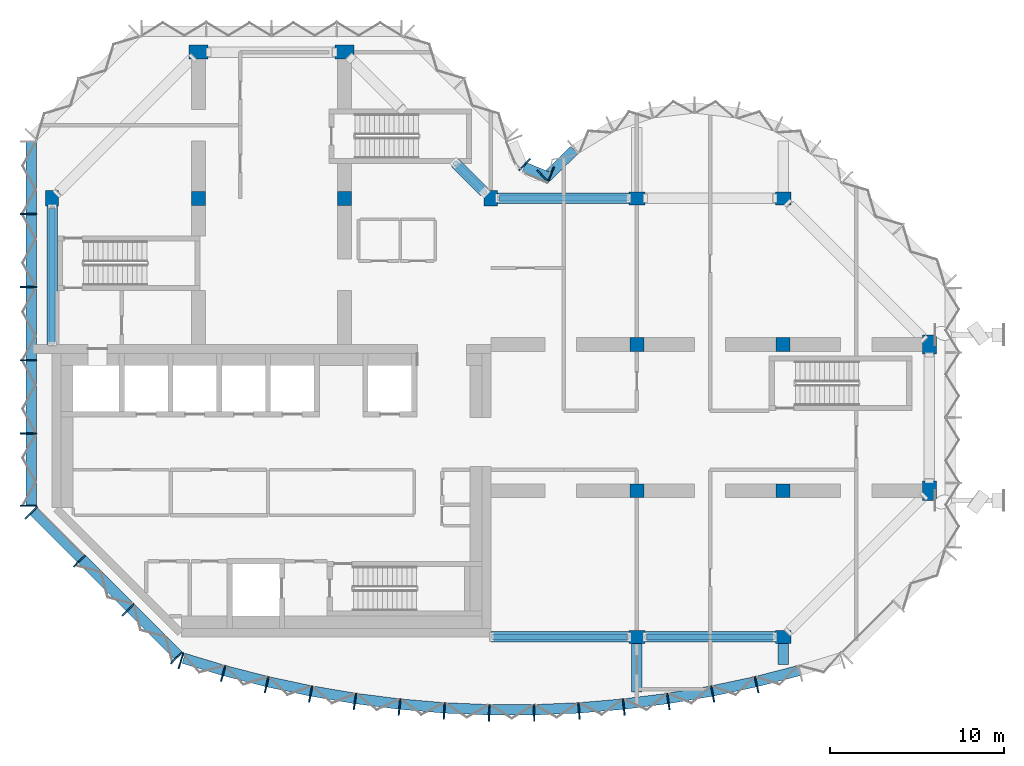
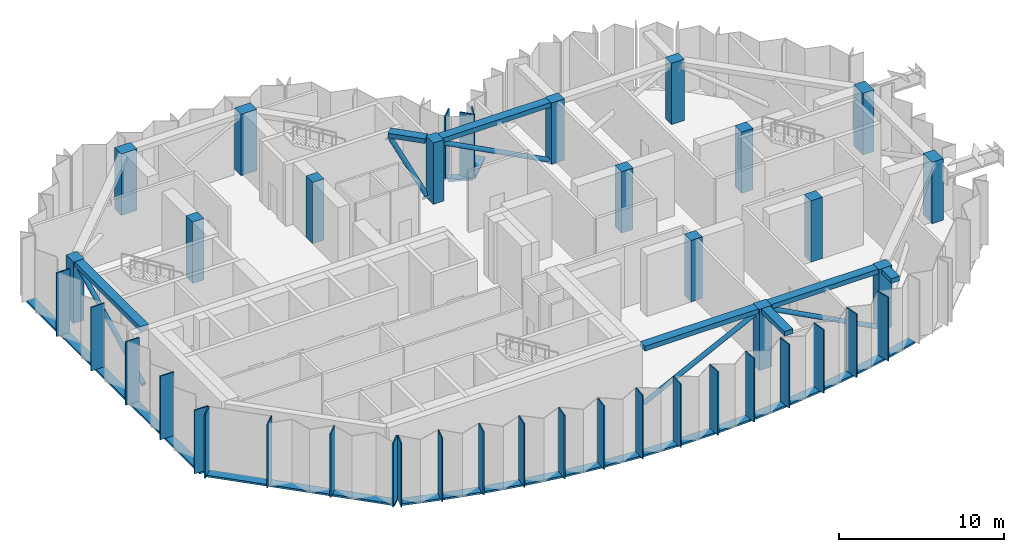
# One storey, part 1 of 13: 49 members, 16 columns, 7 beams, 5 elements without a shape of their own.
"""IFC4 building model written with IfcOpenShell, lengths in metres."""

from ifc_helpers import new_model, si_unit, direction, frame, origin, origin_2d, place, context, subcontext, project, spatial, rectangle, hollow_circle, extrude, material, material_profile, profile_set, type_object, element, aggregate, save


model = new_model("IFC4")

# Units and contexts
model_context = context("Model", 3, precision=1e-05, world=origin(), true_north=direction((0.0, 1.0)))
body_context = subcontext(model_context, "Body", "Model", "MODEL_VIEW")
ifc_project = project(units=[si_unit("LENGTHUNIT", "METRE"), si_unit("AREAUNIT", "SQUARE_METRE"), si_unit("VOLUMEUNIT", "CUBIC_METRE"), si_unit("PLANEANGLEUNIT", "RADIAN"), si_unit("MASSUNIT", "GRAM", prefix="KILO")], contexts=[model_context])

# Site, building, storey
site_placement = place(None, origin())
site = spatial("IfcSite", under=ifc_project, at=site_placement, CompositionType="ELEMENT")
building_placement = place(site_placement, origin())
building = spatial("IfcBuilding", under=site, at=building_placement, Name="Brevane Broadcast Tower", CompositionType="ELEMENT")
storey_placement = place(building_placement, frame((0.0, 0.0, 210.89990234375)))
storey = spatial("IfcBuildingStorey", under=building, at=storey_placement, Name="L53", CompositionType="ELEMENT", Elevation=210.89990234375)

# Columns
ifc_material_1 = material(Name="Concrete C50/60", Category="concrete")
ifc_material_profile_1 = material_profile(ifc_material_1, rectangle(XDim=0.75, YDim=0.89990234375, at=origin_2d()), Name="RC 750x900")
ifc_profile_set_1 = profile_set([ifc_material_profile_1], Name="Concrete C50/60")
column_type_1 = type_object("IfcColumnType", Name="RC COLUMN EDGE 750x900 C50/60", PredefinedType="COLUMN", material=ifc_profile_set_1)
for number, where, z_axis, x_axis, name in (
    (1, (0.0, 25.199951171875, 0.0), (0.0, 0.0, 1.0), (1.0, 0.0, 0.0), "CE14 1/D"),
    (2, (25.199951171875, 25.199951171875, 0.0), (0.0, 0.0, 1.0), (1.0, 0.0, 0.0), "CE14 4/D"),
    (3, (33.60009765625, 0.0, 0.0), (0.0, 0.0, 1.0), (0.0, 1.0, 0.0), "CE14 5/A"),
    (4, (33.60009765625, 25.199951171875, 0.0), (0.0, 0.0, 1.0), (0.0, 1.0, 0.0), "CE14 5/D"),
    (5, (42.0, 0.0, 0.0), (0.0, 0.0, 1.0), (0.0, 1.0, 0.0), "CE14 6/A"),
    (6, (42.0, 25.199951171875, 0.0), (0.0, 0.0, 1.0), (0.0, 1.0, 0.0), "CE14 6/D"),
):
    element("IfcColumn", number, at=place(storey_placement, frame(where, z_axis=z_axis, x_axis=x_axis)), inside=storey, type_object=column_type_1, Name=name, PredefinedType="COLUMN", context=body_context, shape_type="SweptSolid", body=[
        extrude(rectangle(XDim=0.75, YDim=0.89990234375, at=origin_2d()), origin(), (0.0, 0.0, 1.0), 4.550048828125),
    ])
ifc_material_profile_2 = material_profile(ifc_material_1, rectangle(XDim=0.800048828125, YDim=0.800048828125, at=origin_2d()), Name="RC 800x800")
ifc_profile_set_2 = profile_set([ifc_material_profile_2], Name="Concrete C50/60")
column_type_2 = type_object("IfcColumnType", Name="RC COLUMN INTERIOR 800x800 C50/60", PredefinedType="COLUMN", material=ifc_profile_set_2)
for number, where, z_axis, x_axis, name in (
    (7, (8.39990234375, 25.199951171875, 0.0), (0.0, 0.0, 1.0), (1.0, 0.0, 0.0), "CI15 2/D"),
    (8, (16.800048828125, 25.199951171875, 0.0), (0.0, 0.0, 1.0), (1.0, 0.0, 0.0), "CI15 3/D"),
    (9, (33.60009765625, 8.39990234375, 0.0), (0.0, 0.0, 1.0), (1.0, 0.0, 0.0), "CI15 5/B"),
    (10, (33.60009765625, 16.800048828125, 0.0), (0.0, 0.0, 1.0), (1.0, 0.0, 0.0), "CI15 5/C"),
    (11, (42.0, 8.39990234375, 0.0), (0.0, 0.0, 1.0), (1.0, 0.0, 0.0), "CI15 6/B"),
    (12, (42.0, 16.800048828125, 0.0), (0.0, 0.0, 1.0), (1.0, 0.0, 0.0), "CI15 6/C"),
):
    element("IfcColumn", number, at=place(storey_placement, frame(where, z_axis=z_axis, x_axis=x_axis)), inside=storey, type_object=column_type_2, Name=name, PredefinedType="COLUMN", context=body_context, shape_type="SweptSolid", body=[
        extrude(rectangle(XDim=0.800048828125, YDim=0.800048828125, at=origin_2d()), origin(), (0.0, 0.0, 1.0), 4.550048828125),
    ])
ifc_material_profile_3 = material_profile(ifc_material_1, rectangle(XDim=0.800048828125, YDim=1.10009765625, at=origin_2d()), Name="RC 800x1100")
ifc_profile_set_3 = profile_set([ifc_material_profile_3], Name="Concrete C50/60")
column_type_3 = type_object("IfcColumnType", Name="RC COLUMN WING-END 800x1100 C50/60", PredefinedType="COLUMN", material=ifc_profile_set_3)
for number, where, z_axis, x_axis, name in (
    (13, (8.39990234375, 33.60009765625, 0.0), (0.0, 0.0, 1.0), (0.0, 1.0, 0.0), "CW16 2/E"),
    (14, (16.800048828125, 33.60009765625, 0.0), (0.0, 0.0, 1.0), (0.0, 1.0, 0.0), "CW16 3/E"),
    (15, (50.39990234375, 8.39990234375, 0.0), (0.0, 0.0, 1.0), (1.0, 0.0, 0.0), "CW16 7/B"),
    (16, (50.39990234375, 16.800048828125, 0.0), (0.0, 0.0, 1.0), (1.0, 0.0, 0.0), "CW16 7/C"),
):
    element("IfcColumn", number, at=place(storey_placement, frame(where, z_axis=z_axis, x_axis=x_axis)), inside=storey, type_object=column_type_3, Name=name, PredefinedType="COLUMN", context=body_context, shape_type="SweptSolid", body=[
        extrude(rectangle(XDim=0.800048828125, YDim=1.10009765625, at=origin_2d()), origin(), (0.0, 0.0, 1.0), 4.550048828125),
    ])

# Curtain wall, members
ifc_material_2 = material(Name="Aluminium 6063-T6 bronze anodised", Category="aluminium")
curtain_wall_type = type_object("IfcCurtainWallType", Name="CW-3 curtain wall", PredefinedType="NOTDEFINED", material=ifc_material_2)
curtain_wall_1_placement = place(storey_placement, origin())
curtain_wall_1 = element("IfcCurtainWall", 17, at=curtain_wall_1_placement, inside=storey, type_object=curtain_wall_type, Name="CW-3 refuge louvre unit L53 south bow", PredefinedType="NOTDEFINED")
ifc_material_profile_4 = material_profile(ifc_material_2, rectangle(XDim=0.949951171875, YDim=0.080078125, at=origin_2d()), Name="RECT 80x950")
ifc_profile_set_4 = profile_set([ifc_material_profile_4], Name="Aluminium 6063-T6 bronze anodised")
member_type_1 = type_object("IfcMemberType", Name="CW-3 mullion 80x950", PredefinedType="MULLION", material=ifc_profile_set_4)
member_1_placement = place(storey_placement, frame((7.401123046875, -1.3662109375, -0.159912109375), z_axis=(0.0, 0.0, 1.0), x_axis=(0.288968122518, 0.957338719664, 0.0)))
member_1 = element("IfcMember", 18, at=member_1_placement, type_object=member_type_1, Name="CW-3 mullion", PredefinedType="MULLION", context=body_context, shape_type="SweptSolid", body=[
    extrude(rectangle(XDim=0.949951171875, YDim=0.080078125, at=origin_2d()), origin(), (0.0, 0.0, 1.0), 4.7099609375),
])
member_2_placement = place(storey_placement, frame((9.824951171875, -2.097900390625, -0.159912109375), z_axis=(0.0, 0.0, 1.0), x_axis=(0.268915519935, 0.963163767559, 0.0)))
member_2 = element("IfcMember", 19, at=member_2_placement, type_object=member_type_1, Name="CW-3 mullion", PredefinedType="MULLION", context=body_context, shape_type="SweptSolid", body=[
    extrude(rectangle(XDim=0.949951171875, YDim=0.080078125, at=origin_2d()), origin(), (0.0, 0.0, 1.0), 4.7099609375),
])
member_3_placement = place(storey_placement, frame((12.325439453125, -2.739990234375, -0.159912109375), z_axis=(0.0, 0.0, 1.0), x_axis=(0.228467410001, 0.97355156133, 0.0)))
member_3 = element("IfcMember", 20, at=member_3_placement, type_object=member_type_1, Name="CW-3 mullion", PredefinedType="MULLION", context=body_context, shape_type="SweptSolid", body=[
    extrude(rectangle(XDim=0.949951171875, YDim=0.080078125, at=origin_2d()), origin(), (0.0, 0.0, 1.0), 4.7099609375),
])
member_4_placement = place(storey_placement, frame((14.8505859375, -3.277099609375, -0.159912109375), z_axis=(0.0, 0.0, 1.0), x_axis=(0.187620976959, 0.982241502384, 0.0)))
member_4 = element("IfcMember", 21, at=member_4_placement, type_object=member_type_1, Name="CW-3 mullion", PredefinedType="MULLION", context=body_context, shape_type="SweptSolid", body=[
    extrude(rectangle(XDim=0.949951171875, YDim=0.080078125, at=origin_2d()), origin(), (0.0, 0.0, 1.0), 4.7099609375),
])
member_5_placement = place(storey_placement, frame((17.395751953125, -3.70849609375, -0.159912109375), z_axis=(0.0, 0.0, 1.0), x_axis=(0.146447392256, 0.989218459847, 0.0)))
member_5 = element("IfcMember", 22, at=member_5_placement, type_object=member_type_1, Name="CW-3 mullion", PredefinedType="MULLION", context=body_context, shape_type="SweptSolid", body=[
    extrude(rectangle(XDim=0.949951171875, YDim=0.080078125, at=origin_2d()), origin(), (0.0, 0.0, 1.0), 4.7099609375),
])
member_6_placement = place(storey_placement, frame((19.95703125, -4.033203125, -0.159912109375), z_axis=(0.0, 0.0, 1.0), x_axis=(0.105018395305, 0.994470279419, 0.0)))
member_6 = element("IfcMember", 23, at=member_6_placement, type_object=member_type_1, Name="CW-3 mullion", PredefinedType="MULLION", context=body_context, shape_type="SweptSolid", body=[
    extrude(rectangle(XDim=0.949951171875, YDim=0.080078125, at=origin_2d()), origin(), (0.0, 0.0, 1.0), 4.7099609375),
])
member_7_placement = place(storey_placement, frame((22.529296875, -4.250732421875, -0.159912109375), z_axis=(0.0, 0.0, 1.0), x_axis=(0.063406169479, 0.99798780437, 0.0)))
member_7 = element("IfcMember", 24, at=member_7_placement, type_object=member_type_1, Name="CW-3 mullion", PredefinedType="MULLION", context=body_context, shape_type="SweptSolid", body=[
    extrude(rectangle(XDim=0.949951171875, YDim=0.080078125, at=origin_2d()), origin(), (0.0, 0.0, 1.0), 4.7099609375),
])
member_8_placement = place(storey_placement, frame((25.10888671875, -4.360595703125, -0.159912109375), z_axis=(0.0, 0.0, 1.0), x_axis=(0.021281828243, 0.999773516246, 0.0)))
member_8 = element("IfcMember", 25, at=member_8_placement, type_object=member_type_1, Name="CW-3 mullion", PredefinedType="MULLION", context=body_context, shape_type="SweptSolid", body=[
    extrude(rectangle(XDim=0.949951171875, YDim=0.080078125, at=origin_2d()), origin(), (0.0, 0.0, 1.0), 4.7099609375),
])
member_9_placement = place(storey_placement, frame((27.691162109375, -4.360595703125, -0.159912109375), z_axis=(0.0, 0.0, 1.0), x_axis=(-0.021281828243, 0.999773516246, 0.0)))
member_9 = element("IfcMember", 26, at=member_9_placement, type_object=member_type_1, Name="CW-3 mullion", PredefinedType="MULLION", context=body_context, shape_type="SweptSolid", body=[
    extrude(rectangle(XDim=0.949951171875, YDim=0.080078125, at=origin_2d()), origin(), (0.0, 0.0, 1.0), 4.7099609375),
])
member_10_placement = place(storey_placement, frame((30.2705078125, -4.250732421875, -0.159912109375), z_axis=(0.0, 0.0, 1.0), x_axis=(-0.063406169479, 0.99798780437, 0.0)))
member_10 = element("IfcMember", 27, at=member_10_placement, type_object=member_type_1, Name="CW-3 mullion", PredefinedType="MULLION", context=body_context, shape_type="SweptSolid", body=[
    extrude(rectangle(XDim=0.949951171875, YDim=0.080078125, at=origin_2d()), origin(), (0.0, 0.0, 1.0), 4.7099609375),
])
member_11_placement = place(storey_placement, frame((32.843017578125, -4.033203125, -0.159912109375), z_axis=(0.0, 0.0, 1.0), x_axis=(-0.105018395305, 0.994470279419, 0.0)))
member_11 = element("IfcMember", 28, at=member_11_placement, type_object=member_type_1, Name="CW-3 mullion", PredefinedType="MULLION", context=body_context, shape_type="SweptSolid", body=[
    extrude(rectangle(XDim=0.949951171875, YDim=0.080078125, at=origin_2d()), origin(), (0.0, 0.0, 1.0), 4.7099609375),
])
member_12_placement = place(storey_placement, frame((35.404296875, -3.70849609375, -0.159912109375), z_axis=(0.0, 0.0, 1.0), x_axis=(-0.146447392256, 0.989218459847, 0.0)))
member_12 = element("IfcMember", 29, at=member_12_placement, type_object=member_type_1, Name="CW-3 mullion", PredefinedType="MULLION", context=body_context, shape_type="SweptSolid", body=[
    extrude(rectangle(XDim=0.949951171875, YDim=0.080078125, at=origin_2d()), origin(), (0.0, 0.0, 1.0), 4.7099609375),
])
member_13_placement = place(storey_placement, frame((37.949462890625, -3.277099609375, -0.159912109375), z_axis=(0.0, 0.0, 1.0), x_axis=(-0.187620976959, 0.982241502384, 0.0)))
member_13 = element("IfcMember", 30, at=member_13_placement, type_object=member_type_1, Name="CW-3 mullion", PredefinedType="MULLION", context=body_context, shape_type="SweptSolid", body=[
    extrude(rectangle(XDim=0.949951171875, YDim=0.080078125, at=origin_2d()), origin(), (0.0, 0.0, 1.0), 4.7099609375),
])
member_14_placement = place(storey_placement, frame((40.474609375, -2.739990234375, -0.159912109375), z_axis=(0.0, 0.0, 1.0), x_axis=(-0.228467410001, 0.97355156133, 0.0)))
member_14 = element("IfcMember", 31, at=member_14_placement, type_object=member_type_1, Name="CW-3 mullion", PredefinedType="MULLION", context=body_context, shape_type="SweptSolid", body=[
    extrude(rectangle(XDim=0.949951171875, YDim=0.080078125, at=origin_2d()), origin(), (0.0, 0.0, 1.0), 4.7099609375),
])

# Curtain wall, member
curtain_wall_2_placement = place(storey_placement, origin())
curtain_wall_2 = element("IfcCurtainWall", 32, at=curtain_wall_2_placement, inside=storey, type_object=curtain_wall_type, Name="CW-3 refuge louvre unit L53 east bow", PredefinedType="NOTDEFINED")
member_15_placement = place(storey_placement, frame((28.19775390625, 26.468505859375, -0.159912109375), z_axis=(0.0, 0.0, 1.0), x_axis=(0.696812089895, -0.717253728729, 0.0)))
member_15 = element("IfcMember", 33, at=member_15_placement, type_object=member_type_1, Name="CW-3 mullion", PredefinedType="MULLION", context=body_context, shape_type="SweptSolid", body=[
    extrude(rectangle(XDim=0.949951171875, YDim=0.080078125, at=origin_2d()), origin(), (0.0, 0.0, 1.0), 4.7099609375),
])

# Curtain wall, members
curtain_wall_3_placement = place(storey_placement, origin())
curtain_wall_3 = element("IfcCurtainWall", 34, at=curtain_wall_3_placement, inside=storey, type_object=curtain_wall_type, Name="CW-3 refuge louvre unit L53 inner corner", PredefinedType="NOTDEFINED")
member_16_placement = place(storey_placement, frame((28.644775390625, 26.55419921875, -0.159912109375), z_axis=(0.0, 0.0, 1.0), x_axis=(-0.382683432365, -0.923879532511, 0.0)))
member_16 = element("IfcMember", 35, at=member_16_placement, type_object=member_type_1, Name="CW-3 mullion", PredefinedType="MULLION", context=body_context, shape_type="SweptSolid", body=[
    extrude(rectangle(XDim=0.949951171875, YDim=0.080078125, at=origin_2d()), origin(), (0.0, 0.0, 1.0), 4.7099609375),
])
member_17_placement = place(storey_placement, frame((27.138916015625, 27.138916015625, -0.159912109375), z_axis=(0.0, 0.0, 1.0), x_axis=(-0.707106781187, -0.707106781187, 0.0)))
member_17 = element("IfcMember", 36, at=member_17_placement, type_object=member_type_1, Name="CW-3 mullion", PredefinedType="MULLION", context=body_context, shape_type="SweptSolid", body=[
    extrude(rectangle(XDim=0.949951171875, YDim=0.080078125, at=origin_2d()), origin(), (0.0, 0.0, 1.0), 4.7099609375),
])

curtain_wall_4_placement = place(storey_placement, origin())
curtain_wall_4 = element("IfcCurtainWall", 37, at=curtain_wall_4_placement, inside=storey, type_object=curtain_wall_type, Name="CW-3 refuge louvre unit L53 west face", PredefinedType="NOTDEFINED")
member_18_placement = place(storey_placement, frame((-1.375, 24.300048828125, -0.159912109375), z_axis=(0.0, 0.0, 1.0), x_axis=(1.0, 0.0, 0.0)))
member_18 = element("IfcMember", 38, at=member_18_placement, type_object=member_type_1, Name="CW-3 mullion", PredefinedType="MULLION", context=body_context, shape_type="SweptSolid", body=[
    extrude(rectangle(XDim=0.949951171875, YDim=0.080078125, at=origin_2d()), origin(), (0.0, 0.0, 1.0), 4.7099609375),
])
member_19_placement = place(storey_placement, frame((-1.375, 20.10009765625, -0.159912109375), z_axis=(0.0, 0.0, 1.0), x_axis=(1.0, 0.0, 0.0)))
member_19 = element("IfcMember", 39, at=member_19_placement, type_object=member_type_1, Name="CW-3 mullion", PredefinedType="MULLION", context=body_context, shape_type="SweptSolid", body=[
    extrude(rectangle(XDim=0.949951171875, YDim=0.080078125, at=origin_2d()), origin(), (0.0, 0.0, 1.0), 4.7099609375),
])
member_20_placement = place(storey_placement, frame((-1.375, 15.89990234375, -0.159912109375), z_axis=(0.0, 0.0, 1.0), x_axis=(1.0, 0.0, 0.0)))
member_20 = element("IfcMember", 40, at=member_20_placement, type_object=member_type_1, Name="CW-3 mullion", PredefinedType="MULLION", context=body_context, shape_type="SweptSolid", body=[
    extrude(rectangle(XDim=0.949951171875, YDim=0.080078125, at=origin_2d()), origin(), (0.0, 0.0, 1.0), 4.7099609375),
])
member_21_placement = place(storey_placement, frame((-1.375, 11.699951171875, -0.159912109375), z_axis=(0.0, 0.0, 1.0), x_axis=(1.0, 0.0, 0.0)))
member_21 = element("IfcMember", 41, at=member_21_placement, type_object=member_type_1, Name="CW-3 mullion", PredefinedType="MULLION", context=body_context, shape_type="SweptSolid", body=[
    extrude(rectangle(XDim=0.949951171875, YDim=0.080078125, at=origin_2d()), origin(), (0.0, 0.0, 1.0), 4.7099609375),
])
member_22_placement = place(storey_placement, frame((-1.375, 7.5400390625, -0.159912109375), z_axis=(0.0, 0.0, 1.0), x_axis=(1.0, 0.0, 0.0)))
member_22 = element("IfcMember", 42, at=member_22_placement, type_object=member_type_1, Name="CW-3 mullion", PredefinedType="MULLION", context=body_context, shape_type="SweptSolid", body=[
    extrude(rectangle(XDim=0.949951171875, YDim=0.080078125, at=origin_2d()), origin(), (0.0, 0.0, 1.0), 4.7099609375),
])

curtain_wall_5_placement = place(storey_placement, origin())
curtain_wall_5 = element("IfcCurtainWall", 43, at=curtain_wall_5_placement, inside=storey, type_object=curtain_wall_type, Name="CW-3 refuge louvre unit L53 south-west chamfer", PredefinedType="NOTDEFINED")
member_23_placement = place(storey_placement, frame((-1.20751953125, 7.1357421875, -0.159912109375), z_axis=(0.0, 0.0, 1.0), x_axis=(0.707106781187, 0.707106781187, 0.0)))
member_23 = element("IfcMember", 44, at=member_23_placement, type_object=member_type_1, Name="CW-3 mullion", PredefinedType="MULLION", context=body_context, shape_type="SweptSolid", body=[
    extrude(rectangle(XDim=0.949951171875, YDim=0.080078125, at=origin_2d()), origin(), (0.0, 0.0, 1.0), 4.7099609375),
])
member_24_placement = place(storey_placement, frame((1.564208984375, 4.364013671875, -0.159912109375), z_axis=(0.0, 0.0, 1.0), x_axis=(0.707106781187, 0.707106781187, 0.0)))
member_24 = element("IfcMember", 45, at=member_24_placement, type_object=member_type_1, Name="CW-3 mullion", PredefinedType="MULLION", context=body_context, shape_type="SweptSolid", body=[
    extrude(rectangle(XDim=0.949951171875, YDim=0.080078125, at=origin_2d()), origin(), (0.0, 0.0, 1.0), 4.7099609375),
])
member_25_placement = place(storey_placement, frame((4.364013671875, 1.564208984375, -0.159912109375), z_axis=(0.0, 0.0, 1.0), x_axis=(0.707106781187, 0.707106781187, 0.0)))
member_25 = element("IfcMember", 46, at=member_25_placement, type_object=member_type_1, Name="CW-3 mullion", PredefinedType="MULLION", context=body_context, shape_type="SweptSolid", body=[
    extrude(rectangle(XDim=0.949951171875, YDim=0.080078125, at=origin_2d()), origin(), (0.0, 0.0, 1.0), 4.7099609375),
])
member_26_placement = place(storey_placement, frame((7.1357421875, -1.20751953125, -0.159912109375), z_axis=(0.0, 0.0, 1.0), x_axis=(0.707106781187, 0.707106781187, 0.0)))
member_26 = element("IfcMember", 47, at=member_26_placement, type_object=member_type_1, Name="CW-3 mullion", PredefinedType="MULLION", context=body_context, shape_type="SweptSolid", body=[
    extrude(rectangle(XDim=0.949951171875, YDim=0.080078125, at=origin_2d()), origin(), (0.0, 0.0, 1.0), 4.7099609375),
])

# Member
ifc_material_profile_5 = material_profile(ifc_material_2, rectangle(XDim=0.60009765625, YDim=0.139892578125, at=origin_2d()), Name="RECT 140x600")
ifc_profile_set_5 = profile_set([ifc_material_profile_5], Name="Aluminium 6063-T6 bronze anodised")
member_type_2 = type_object("IfcMemberType", Name="CW-3 transom 140x600", PredefinedType="USERDEFINED", material=ifc_profile_set_5)
member_27_placement = place(storey_placement, frame((7.553955078125, -1.229736328125, -0.22998046875), z_axis=(0.957362578524, -0.288889067362, 0.0), x_axis=(0.288889067362, 0.957362578524, 0.0)))
member_27 = element("IfcMember", 48, at=member_27_placement, type_object=member_type_2, Name="CW-3 transom", ObjectType="TRANSOM", PredefinedType="USERDEFINED", context=body_context, shape_type="SweptSolid", body=[
    extrude(rectangle(XDim=0.60009765625, YDim=0.139892578125, at=origin_2d()), origin(), (0.0, 0.0, 1.0), 2.411865234375),
])

member_28_placement = place(storey_placement, frame((9.8759765625, -1.930419921875, -0.22998046875), z_axis=(0.968569727699, -0.248742201052, 0.0), x_axis=(0.248742201052, 0.968569727699, 0.0)))
member_28 = element("IfcMember", 49, at=member_28_placement, type_object=member_type_2, Name="CW-3 transom", ObjectType="TRANSOM", PredefinedType="USERDEFINED", context=body_context, shape_type="SweptSolid", body=[
    extrude(rectangle(XDim=0.60009765625, YDim=0.139892578125, at=origin_2d()), origin(), (0.0, 0.0, 1.0), 2.561767578125),
])

member_29_placement = place(storey_placement, frame((12.370361328125, -2.57080078125, -0.22998046875), z_axis=(0.978117897278, -0.208051385536, 0.0), x_axis=(0.208051385536, 0.978117897278, 0.0)))
member_29 = element("IfcMember", 50, at=member_29_placement, type_object=member_type_2, Name="CW-3 transom", ObjectType="TRANSOM", PredefinedType="USERDEFINED", context=body_context, shape_type="SweptSolid", body=[
    extrude(rectangle(XDim=0.60009765625, YDim=0.139892578125, at=origin_2d()), origin(), (0.0, 0.0, 1.0), 2.561767578125),
])

member_30_placement = place(storey_placement, frame((14.88916015625, -3.1064453125, -0.22998046875), z_axis=(0.985947338221, -0.167056416383, 0.0), x_axis=(0.167056416383, 0.985947338221, 0.0)))
member_30 = element("IfcMember", 51, at=member_30_placement, type_object=member_type_2, Name="CW-3 transom", ObjectType="TRANSOM", PredefinedType="USERDEFINED", context=body_context, shape_type="SweptSolid", body=[
    extrude(rectangle(XDim=0.60009765625, YDim=0.139892578125, at=origin_2d()), origin(), (0.0, 0.0, 1.0), 2.561767578125),
])

member_31_placement = place(storey_placement, frame((17.428466796875, -3.536376953125, -0.22998046875), z_axis=(0.99206678005, -0.12571198798, 0.0), x_axis=(0.12571198798, 0.99206678005, 0.0)))
member_31 = element("IfcMember", 52, at=member_31_placement, type_object=member_type_2, Name="CW-3 transom", ObjectType="TRANSOM", PredefinedType="USERDEFINED", context=body_context, shape_type="SweptSolid", body=[
    extrude(rectangle(XDim=0.60009765625, YDim=0.139892578125, at=origin_2d()), origin(), (0.0, 0.0, 1.0), 2.5615234375),
])

member_32_placement = place(storey_placement, frame((19.983154296875, -3.85986328125, -0.22998046875), z_axis=(0.99644513768, -0.084244214012, 0.0), x_axis=(0.084244214012, 0.99644513768, 0.0)))
member_32 = element("IfcMember", 53, at=member_32_placement, type_object=member_type_2, Name="CW-3 transom", ObjectType="TRANSOM", PredefinedType="USERDEFINED", context=body_context, shape_type="SweptSolid", body=[
    extrude(rectangle(XDim=0.60009765625, YDim=0.139892578125, at=origin_2d()), origin(), (0.0, 0.0, 1.0), 2.561767578125),
])

member_33_placement = place(storey_placement, frame((22.54931640625, -4.076416015625, -0.22998046875), z_axis=(0.999092306129, -0.042597697524, 0.0), x_axis=(0.042597697524, 0.999092306129, 0.0)))
member_33 = element("IfcMember", 54, at=member_33_placement, type_object=member_type_2, Name="CW-3 transom", ObjectType="TRANSOM", PredefinedType="USERDEFINED", context=body_context, shape_type="SweptSolid", body=[
    extrude(rectangle(XDim=0.60009765625, YDim=0.139892578125, at=origin_2d()), origin(), (0.0, 0.0, 1.0), 2.56201171875),
])

member_34_placement = place(storey_placement, frame((25.122314453125, -4.185546875, -0.22998046875), z_axis=(1.0, 0.0, 0.0), x_axis=(0.0, 1.0, 0.0)))
member_34 = element("IfcMember", 55, at=member_34_placement, type_object=member_type_2, Name="CW-3 transom", ObjectType="TRANSOM", PredefinedType="USERDEFINED", context=body_context, shape_type="SweptSolid", body=[
    extrude(rectangle(XDim=0.60009765625, YDim=0.139892578125, at=origin_2d()), origin(), (0.0, 0.0, 1.0), 2.56201171875),
])

member_35_placement = place(storey_placement, frame((27.691162109375, -4.185546875, -0.22998046875), z_axis=(0.999092133182, 0.042601753652, 0.0), x_axis=(-0.042601753652, 0.999092133182, 0.0)))
member_35 = element("IfcMember", 56, at=member_35_placement, type_object=member_type_2, Name="CW-3 transom", ObjectType="TRANSOM", PredefinedType="USERDEFINED", context=body_context, shape_type="SweptSolid", body=[
    extrude(rectangle(XDim=0.60009765625, YDim=0.139892578125, at=origin_2d()), origin(), (0.0, 0.0, 1.0), 2.561767578125),
])

member_36_placement = place(storey_placement, frame((30.26416015625, -4.07568359375, -0.22998046875), z_axis=(0.99644513768, 0.084244214012, 0.0), x_axis=(-0.084244214012, 0.99644513768, 0.0)))
member_36 = element("IfcMember", 57, at=member_36_placement, type_object=member_type_2, Name="CW-3 transom", ObjectType="TRANSOM", PredefinedType="USERDEFINED", context=body_context, shape_type="SweptSolid", body=[
    extrude(rectangle(XDim=0.60009765625, YDim=0.139892578125, at=origin_2d()), origin(), (0.0, 0.0, 1.0), 2.561767578125),
])

member_37_placement = place(storey_placement, frame((32.830322265625, -3.8583984375, -0.22998046875), z_axis=(0.99206678005, 0.12571198798, 0.0), x_axis=(-0.12571198798, 0.99206678005, 0.0)))
member_37 = element("IfcMember", 58, at=member_37_placement, type_object=member_type_2, Name="CW-3 transom", ObjectType="TRANSOM", PredefinedType="USERDEFINED", context=body_context, shape_type="SweptSolid", body=[
    extrude(rectangle(XDim=0.60009765625, YDim=0.139892578125, at=origin_2d()), origin(), (0.0, 0.0, 1.0), 2.5615234375),
])

member_38_placement = place(storey_placement, frame((35.385009765625, -3.534423828125, -0.22998046875), z_axis=(0.9859446783, 0.167072114167, 0.0), x_axis=(-0.167072114167, 0.9859446783, 0.0)))
member_38 = element("IfcMember", 59, at=member_38_placement, type_object=member_type_2, Name="CW-3 transom", ObjectType="TRANSOM", PredefinedType="USERDEFINED", context=body_context, shape_type="SweptSolid", body=[
    extrude(rectangle(XDim=0.60009765625, YDim=0.139892578125, at=origin_2d()), origin(), (0.0, 0.0, 1.0), 2.5615234375),
])

member_39_placement = place(storey_placement, frame((37.924072265625, -3.103759765625, -0.22998046875), z_axis=(0.978117897278, 0.208051385536, 0.0), x_axis=(-0.208051385536, 0.978117897278, 0.0)))
member_39 = element("IfcMember", 60, at=member_39_placement, type_object=member_type_2, Name="CW-3 transom", ObjectType="TRANSOM", PredefinedType="USERDEFINED", context=body_context, shape_type="SweptSolid", body=[
    extrude(rectangle(XDim=0.60009765625, YDim=0.139892578125, at=origin_2d()), origin(), (0.0, 0.0, 1.0), 2.561767578125),
])

member_40_placement = place(storey_placement, frame((40.44287109375, -2.567626953125, -0.22998046875), z_axis=(0.968569727699, 0.248742201052, 0.0), x_axis=(-0.248742201052, 0.968569727699, 0.0)))
member_40 = element("IfcMember", 61, at=member_40_placement, type_object=member_type_2, Name="CW-3 transom", ObjectType="TRANSOM", PredefinedType="USERDEFINED", context=body_context, shape_type="SweptSolid", body=[
    extrude(rectangle(XDim=0.60009765625, YDim=0.139892578125, at=origin_2d()), origin(), (0.0, 0.0, 1.0), 2.561767578125),
])

aggregate(curtain_wall_1, [member_1, member_2, member_3, member_4, member_5, member_6, member_7, member_8, member_9, member_10, member_11, member_12, member_13, member_14, member_27, member_28, member_29, member_30, member_31, member_32, member_33, member_34, member_35, member_36, member_37, member_38, member_39, member_40])

member_41_placement = place(storey_placement, frame((29.99951171875, 27.974365234375, -0.22998046875), z_axis=(-0.71724215871, -0.696823999134, 0.0), x_axis=(0.696823999134, -0.71724215871, 0.0)))
member_41 = element("IfcMember", 62, at=member_41_placement, type_object=member_type_2, Name="CW-3 transom", ObjectType="TRANSOM", PredefinedType="USERDEFINED", context=body_context, shape_type="SweptSolid", body=[
    extrude(rectangle(XDim=0.60009765625, YDim=0.139892578125, at=origin_2d()), origin(), (0.0, 0.0, 1.0), 2.247802734375),
])

aggregate(curtain_wall_2, [member_15, member_41])

member_42_placement = place(storey_placement, frame((28.528076171875, 26.40673828125, -0.22998046875), z_axis=(-0.923883243627, 0.382674472816, 0.0), x_axis=(-0.382674472816, -0.923883243627, 0.0)))
member_42 = element("IfcMember", 63, at=member_42_placement, type_object=member_type_2, Name="CW-3 transom", ObjectType="TRANSOM", PredefinedType="USERDEFINED", context=body_context, shape_type="SweptSolid", body=[
    extrude(rectangle(XDim=0.60009765625, YDim=0.139892578125, at=origin_2d()), origin(), (0.0, 0.0, 1.0), 1.536865234375),
])

aggregate(curtain_wall_3, [member_16, member_17, member_42])

member_43_placement = place(storey_placement, frame((-1.199951171875, 28.5, -0.22998046875), z_axis=(0.0, -1.0, 0.0), x_axis=(1.0, 0.0, 0.0)))
member_43 = element("IfcMember", 64, at=member_43_placement, type_object=member_type_2, Name="CW-3 transom", ObjectType="TRANSOM", PredefinedType="USERDEFINED", context=body_context, shape_type="SweptSolid", body=[
    extrude(rectangle(XDim=0.60009765625, YDim=0.139892578125, at=origin_2d()), origin(), (0.0, 0.0, 1.0), 21.0),
])

aggregate(curtain_wall_4, [member_18, member_19, member_20, member_21, member_22, member_43])

member_44_placement = place(storey_placement, frame((-1.112060546875, 7.287841796875, -0.22998046875), z_axis=(0.707106781187, -0.707106781187, 0.0), x_axis=(0.707106781187, 0.707106781187, 0.0)))
member_44 = element("IfcMember", 65, at=member_44_placement, type_object=member_type_2, Name="CW-3 transom", ObjectType="TRANSOM", PredefinedType="USERDEFINED", context=body_context, shape_type="SweptSolid", body=[
    extrude(rectangle(XDim=0.60009765625, YDim=0.139892578125, at=origin_2d()), origin(), (0.0, 0.0, 1.0), 11.879150390625),
])

aggregate(curtain_wall_5, [member_23, member_24, member_25, member_26, member_44])

# Beams
ifc_material_3 = material(Name="Concrete C40/50", Category="concrete")
ifc_material_profile_6 = material_profile(ifc_material_3, rectangle(XDim=0.60009765625, YDim=0.35009765625, at=origin_2d()), Name="RC 600x350")
ifc_profile_set_6 = profile_set([ifc_material_profile_6], Name="Concrete C40/50")
beam_type_1 = type_object("IfcBeamType", Name="RC BRACKET BEAM 600x350 C40/50", PredefinedType="BEAM", material=ifc_profile_set_6)
beam_1_placement = place(storey_placement, frame((33.60009765625, -0.375, 4.375), z_axis=(0.0, -1.0, 0.0), x_axis=(1.0, 0.0, 0.0)))
element("IfcBeam", 66, at=beam_1_placement, inside=storey, type_object=beam_type_1, Name="EB2 L53-1", PredefinedType="BEAM", context=body_context, shape_type="SweptSolid", body=[
    extrude(rectangle(XDim=0.60009765625, YDim=0.35009765625, at=origin_2d()), origin(), (0.0, 0.0, 1.0), 2.7958984375),
])
beam_2_placement = place(storey_placement, frame((42.0, -0.375, 4.375), z_axis=(0.0, -1.0, 0.0), x_axis=(1.0, 0.0, 0.0)))
element("IfcBeam", 67, at=beam_2_placement, inside=storey, type_object=beam_type_1, Name="EB2 L53-3", PredefinedType="BEAM", context=body_context, shape_type="SweptSolid", body=[
    extrude(rectangle(XDim=0.60009765625, YDim=0.35009765625, at=origin_2d()), origin(), (0.0, 0.0, 1.0), 1.19384765625),
])
ifc_material_profile_7 = material_profile(ifc_material_3, rectangle(XDim=0.60009765625, YDim=0.35009765625, at=origin_2d()), Name="RC 600x350")
ifc_profile_set_7 = profile_set([ifc_material_profile_7], Name="Concrete C40/50")
beam_type_2 = type_object("IfcBeamType", Name="RC SPANDREL BEAM 600x350 C40/50", PredefinedType="SPANDREL", material=ifc_profile_set_7)
beam_3_placement = place(storey_placement, frame((25.199951171875, 0.0, 4.375), z_axis=(1.0, 0.0, 0.0), x_axis=(0.0, 1.0, 0.0)))
element("IfcBeam", 68, at=beam_3_placement, inside=storey, type_object=beam_type_2, Name="EB1 L53-1", PredefinedType="SPANDREL", context=body_context, shape_type="SweptSolid", body=[
    extrude(rectangle(XDim=0.60009765625, YDim=0.35009765625, at=origin_2d()), origin(), (0.0, 0.0, 1.0), 7.949951171875),
])
beam_4_placement = place(storey_placement, frame((34.050048828125, 0.0, 4.375), z_axis=(1.0, 0.0, 0.0), x_axis=(0.0, 1.0, 0.0)))
element("IfcBeam", 69, at=beam_4_placement, inside=storey, type_object=beam_type_2, Name="EB1 L53-2", PredefinedType="SPANDREL", context=body_context, shape_type="SweptSolid", body=[
    extrude(rectangle(XDim=0.60009765625, YDim=0.35009765625, at=origin_2d()), origin(), (0.0, 0.0, 1.0), 7.5),
])
beam_5_placement = place(storey_placement, frame((33.14990234375, 25.199951171875, 4.375), z_axis=(-1.0, 0.0, 0.0), x_axis=(0.0, -1.0, 0.0)))
element("IfcBeam", 70, at=beam_5_placement, inside=storey, type_object=beam_type_2, Name="EB1 L53-7", PredefinedType="SPANDREL", context=body_context, shape_type="SweptSolid", body=[
    extrude(rectangle(XDim=0.60009765625, YDim=0.35009765625, at=origin_2d()), origin(), (0.0, 0.0, 1.0), 7.574951171875),
])
beam_6_placement = place(storey_placement, frame((24.824951171875, 25.574951171875, 4.375), z_axis=(-0.707106781187, 0.707106781187, 0.0), x_axis=(-0.707106781187, -0.707106781187, 0.0)))
element("IfcBeam", 71, at=beam_6_placement, inside=storey, type_object=beam_type_2, Name="EB1 L53-8", PredefinedType="SPANDREL", context=body_context, shape_type="SweptSolid", body=[
    extrude(rectangle(XDim=0.60009765625, YDim=0.35009765625, at=origin_2d()), origin(), (0.0, 0.0, 1.0), 2.340576171875),
])
beam_7_placement = place(storey_placement, frame((0.0, 24.75, 4.375), z_axis=(0.0, -1.0, 0.0), x_axis=(1.0, 0.0, 0.0)))
element("IfcBeam", 72, at=beam_7_placement, inside=storey, type_object=beam_type_2, Name="EB1 L53-11", PredefinedType="SPANDREL", context=body_context, shape_type="SweptSolid", body=[
    extrude(rectangle(XDim=0.60009765625, YDim=0.35009765625, at=origin_2d()), origin(), (0.0, 0.0, 1.0), 7.949951171875),
])

# Members
ifc_material_4 = material(Name="Steel S355", Category="steel")
ifc_material_profile_8 = material_profile(ifc_material_4, hollow_circle(Radius=0.161865234375, WallThickness=0.012451171875, at=origin_2d()), Name="CHS 323.9x12.5")
ifc_profile_set_8 = profile_set([ifc_material_profile_8], Name="Steel S355")
member_type_3 = type_object("IfcMemberType", Name="STEEL BELT TRUSS BRACE CHS 323.9x12.5 S355", PredefinedType="BRACE", material=ifc_profile_set_8)
member_45_placement = place(storey_placement, frame((25.272216796875, 0.0, 0.14501953125), z_axis=(0.894772632632, 0.0, 0.446522044128), x_axis=(0.0, 1.0, 0.0)))
element("IfcMember", 73, at=member_45_placement, inside=storey, type_object=member_type_3, Name="BT3 L53-1", PredefinedType="BRACE", context=body_context, shape_type="SweptSolid", body=[
    extrude(hollow_circle(Radius=0.161865234375, WallThickness=0.012451171875, at=origin_2d()), origin(), (0.0, 0.0, 1.0), 8.7568359375),
])
member_46_placement = place(storey_placement, frame((41.50439453125, 0.0, 0.143310546875), z_axis=(-0.884215635817, 0.0, 0.467078911295), x_axis=(0.0, -1.0, 0.0)))
element("IfcMember", 74, at=member_46_placement, inside=storey, type_object=member_type_3, Name="BT3 L53-2", PredefinedType="BRACE", context=body_context, shape_type="SweptSolid", body=[
    extrude(hollow_circle(Radius=0.161865234375, WallThickness=0.012451171875, at=origin_2d()), origin(), (0.0, 0.0, 1.0), 8.37890625),
])
member_47_placement = place(storey_placement, frame((33.10498046875, 25.199951171875, 0.1435546875), z_axis=(-0.88619901086, 0.0, 0.463304773503), x_axis=(0.0, -1.0, 0.0)))
element("IfcMember", 75, at=member_47_placement, inside=storey, type_object=member_type_3, Name="BT3 L53-7", PredefinedType="BRACE", context=body_context, shape_type="SweptSolid", body=[
    extrude(hollow_circle(Radius=0.161865234375, WallThickness=0.012451171875, at=origin_2d()), origin(), (0.0, 0.0, 1.0), 8.446044921875),
])
member_48_placement = place(storey_placement, frame((24.84130859375, 25.55859375, 0.1728515625), z_axis=(-0.361263827531, 0.361263827531, 0.859637652639), x_axis=(-0.707106781187, -0.707106781187, 0.0)))
element("IfcMember", 76, at=member_48_placement, inside=storey, type_object=member_type_3, Name="BT3 L53-9", PredefinedType="BRACE", context=body_context, shape_type="SweptSolid", body=[
    extrude(hollow_circle(Radius=0.161865234375, WallThickness=0.012451171875, at=origin_2d()), origin(), (0.0, 0.0, 1.0), 4.588623046875),
])
member_49_placement = place(storey_placement, frame((0.0, 16.872314453125, 0.14501953125), z_axis=(0.0, 0.894772632632, 0.446522044128), x_axis=(-1.0, 0.0, 0.0)))
element("IfcMember", 77, at=member_49_placement, inside=storey, type_object=member_type_3, Name="BT3 L53-12", PredefinedType="BRACE", context=body_context, shape_type="SweptSolid", body=[
    extrude(hollow_circle(Radius=0.161865234375, WallThickness=0.012451171875, at=origin_2d()), origin(), (0.0, 0.0, 1.0), 8.7568359375),
])

save(model, "model.ifc")
